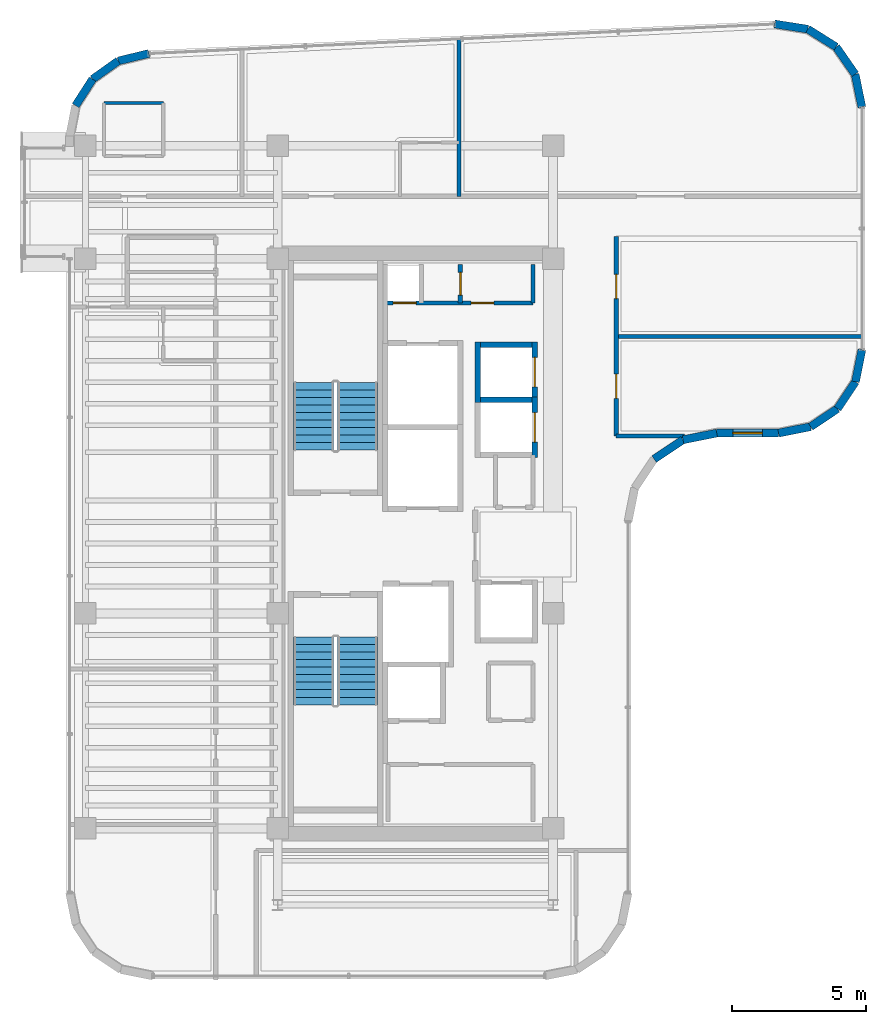
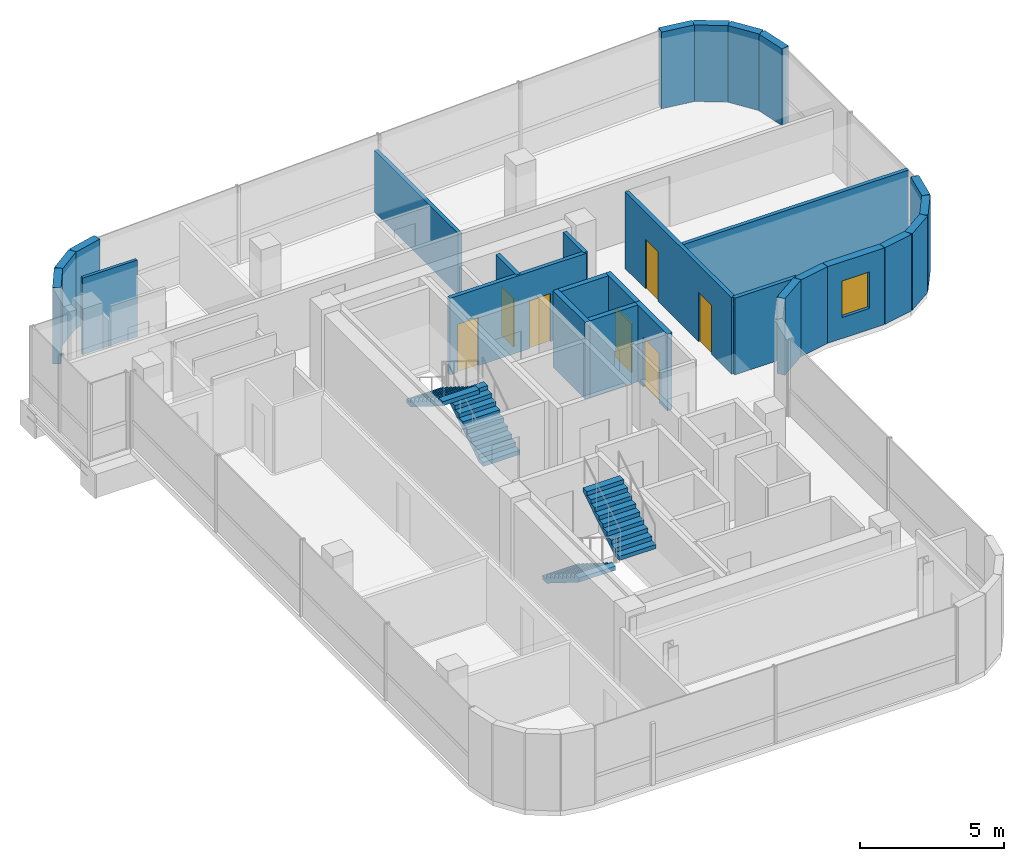
# One storey, part 18 of 20: 27 walls, 7 doors, 4 stair flights, 1 window, 8 openings, 2 elements without a shape of their own.
"""IFC4 building model written with IfcOpenShell, lengths in metres."""

from ifc_helpers import new_model, si_unit, direction, frame, frame_2d, origin, place, context, subcontext, project, spatial, polyline, rectangle, outline, extrude, material, layer, layer_set, type_object, element, fill, aggregate, save


model = new_model("IFC4")

# Units and contexts
model_context = context("Model", 3, precision=1e-05, world=origin(), true_north=direction((0.0, 1.0)))
body_context = subcontext(model_context, "Body", "Model", "MODEL_VIEW")
ifc_project = project(units=[si_unit("LENGTHUNIT", "METRE"), si_unit("AREAUNIT", "SQUARE_METRE"), si_unit("VOLUMEUNIT", "CUBIC_METRE"), si_unit("PLANEANGLEUNIT", "RADIAN"), si_unit("MASSUNIT", "GRAM", prefix="KILO")], contexts=[model_context])

# Site, building, storey
site_placement = place(None, origin())
site = spatial("IfcSite", under=ifc_project, at=site_placement, CompositionType="ELEMENT")
building_placement = place(site_placement, origin())
building = spatial("IfcBuilding", under=site, at=building_placement, Name="Valdorenza Pilgrim Sanctuary Tower", CompositionType="ELEMENT")
storey_placement = place(building_placement, frame((0.0, 0.0, 283.5)))
storey = spatial("IfcBuildingStorey", under=building, at=storey_placement, Name="L74", CompositionType="ELEMENT", Elevation=283.5)

# Wall, openings, doors
ifc_material_1 = material(Name="Acoustic twin-stud gypsum partition", Category="gypsum")
ifc_layer_1 = layer(ifc_material_1, 0.159912109375, Name="Acoustic twin-stud gypsum partition")
ifc_layer_set_1 = layer_set([ifc_layer_1], Name="Acoustic twin-stud gypsum partition")
wall_type_1 = type_object("IfcWallType", Name="WAL-COR-160", PredefinedType="PARTITIONING", material=ifc_layer_set_1)
wall_1_placement = place(storey_placement, frame((-18.64990234375, 8.949951171875, 0.0), z_axis=(0.0, 0.0, 1.0), x_axis=(1.0, 0.0, 0.0)))
wall_1 = element("IfcWall", 1, at=wall_1_placement, inside=storey, type_object=wall_type_1, Name="L74 Core A North Service South Wall", PredefinedType="PARTITIONING", context=body_context, shape_type="SweptSolid", body=[
    extrude(rectangle(XDim=5.5, YDim=0.159912109375, at=frame_2d((2.75, 0.0))), origin(), (0.0, 0.0, 1.0), 3.260009765625),
])
opening_1_placement = place(wall_1_placement, frame((0.300048828125, 0.0, 0.0)))
opening_1 = element("IfcOpeningElement", 2, at=opening_1_placement, cuts=wall_1, Name="Opening DR-RS1", PredefinedType="OPENING", context=body_context, shape_type="SweptSolid", body=[
    extrude(rectangle(XDim=0.85009765625, YDim=2.050048828125, at=frame_2d((0.425048828125, 1.02490234375))), frame((0.0, 0.0947265625, 0.0), z_axis=(0.0, -1.0, 0.0), x_axis=(1.0, 0.0, 0.0)), (0.0, 0.0, 1.0), 0.189697265625),
])
opening_2_placement = place(wall_1_placement, frame((3.199951171875, 0.0, 0.0)))
opening_2 = element("IfcOpeningElement", 3, at=opening_2_placement, cuts=wall_1, Name="Opening DR-RS1", PredefinedType="OPENING", context=body_context, shape_type="SweptSolid", body=[
    extrude(rectangle(XDim=0.85009765625, YDim=2.050048828125, at=frame_2d((0.425048828125, 1.02490234375))), frame((0.0, 0.0947265625, 0.0), z_axis=(0.0, -1.0, 0.0), x_axis=(1.0, 0.0, 0.0)), (0.0, 0.0, 1.0), 0.189697265625),
])
ifc_material_2 = material(Name="Painted galvanized steel", Category="steel")
door_type_1 = type_object("IfcDoorType", Name="DR-RSR-850", OperationType="NOTDEFINED", PredefinedType="DOOR", material=ifc_material_2)
door_1_placement = place(opening_1_placement, origin())
door_1 = element("IfcDoor", 4, at=door_1_placement, inside=storey, type_object=door_type_1, Name="L74 Core Electrical and Telecom Riser Door", OperationType="SINGLE_SWING_LEFT", OverallHeight=2.050048828125, OverallWidth=0.85009765625, PredefinedType="DOOR", context=body_context, shape_type="SweptSolid", body=[
    extrude(rectangle(XDim=0.85009765625, YDim=2.050048828125, at=frame_2d((0.425048828125, 1.02490234375))), frame((0.0, 0.02490234375, 0.0), z_axis=(0.0, -1.0, 0.0), x_axis=(1.0, 0.0, 0.0)), (0.0, 0.0, 1.0), 0.050048828125),
])
fill(opening_1, door_1)
door_2_placement = place(opening_2_placement, origin())
door_2 = element("IfcDoor", 5, at=door_2_placement, inside=storey, type_object=door_type_1, Name="L74 Housekeeping and Clean Linen Room Door", OperationType="SINGLE_SWING_RIGHT", OverallHeight=2.050048828125, OverallWidth=0.85009765625, PredefinedType="DOOR", context=body_context, shape_type="SweptSolid", body=[
    extrude(rectangle(XDim=0.85009765625, YDim=2.050048828125, at=frame_2d((0.425048828125, 1.02490234375))), frame((0.0, 0.02490234375, 0.0), z_axis=(0.0, -1.0, 0.0), x_axis=(1.0, 0.0, 0.0)), (0.0, 0.0, 1.0), 0.050048828125),
])
fill(opening_2, door_2)

# Wall
wall_2_placement = place(storey_placement, frame((-13.14990234375, 8.949951171875, 0.0), z_axis=(0.0, 0.0, 1.0), x_axis=(0.0, 1.0, 0.0)))
element("IfcWall", 6, at=wall_2_placement, inside=storey, type_object=wall_type_1, Name="L74 Core A North Service East Wall", PredefinedType="PARTITIONING", context=body_context, shape_type="SweptSolid", body=[
    extrude(rectangle(XDim=1.429931640625, YDim=0.159912109375, at=frame_2d((0.71484375, 0.0))), origin(), (0.0, 0.0, 1.0), 3.260009765625),
])

# Wall, opening, door
wall_3_placement = place(storey_placement, frame((-15.85009765625, 8.949951171875, 0.0), z_axis=(0.0, 0.0, 1.0), x_axis=(0.0, 1.0, 0.0)))
wall_3 = element("IfcWall", 7, at=wall_3_placement, inside=storey, type_object=wall_type_1, Name="L74 Core A Split C", PredefinedType="PARTITIONING", context=body_context, shape_type="SweptSolid", body=[
    extrude(rectangle(XDim=1.429931640625, YDim=0.159912109375, at=frame_2d((0.71484375, 0.0))), origin(), (0.0, 0.0, 1.0), 3.260009765625),
])
opening_3_placement = place(wall_3_placement, frame((0.2900390625, 0.0, 0.0)))
opening_3 = element("IfcOpeningElement", 8, at=opening_3_placement, cuts=wall_3, Name="Opening DR-RS1", PredefinedType="OPENING", context=body_context, shape_type="SweptSolid", body=[
    extrude(rectangle(XDim=0.85009765625, YDim=2.050048828125, at=frame_2d((0.425048828125, 1.02490234375))), frame((0.0, 0.0947265625, 0.0), z_axis=(0.0, -1.0, 0.0), x_axis=(1.0, 0.0, 0.0)), (0.0, 0.0, 1.0), 0.189697265625),
])
door_3_placement = place(opening_3_placement, origin())
door_3 = element("IfcDoor", 9, at=door_3_placement, inside=storey, type_object=door_type_1, Name="L74 Clean Linen Supply Store Door", OperationType="SINGLE_SWING_LEFT", OverallHeight=2.050048828125, OverallWidth=0.85009765625, PredefinedType="DOOR", context=body_context, shape_type="SweptSolid", body=[
    extrude(rectangle(XDim=0.85009765625, YDim=2.050048828125, at=frame_2d((0.425048828125, 1.02490234375))), frame((0.0, 0.02490234375, 0.0), z_axis=(0.0, -1.0, 0.0), x_axis=(1.0, 0.0, 0.0)), (0.0, 0.0, 1.0), 0.050048828125),
])
fill(opening_3, door_3)

# Wall, openings, doors
wall_4_placement = place(storey_placement, frame((-10.050048828125, 4.0, 0.0), z_axis=(0.0, 0.0, 1.0), x_axis=(0.0, 1.0, 0.0)))
wall_4 = element("IfcWall", 10, at=wall_4_placement, inside=storey, type_object=wall_type_1, Name="L74 East Stub Corridor Wall", PredefinedType="PARTITIONING", context=body_context, shape_type="SweptSolid", body=[
    extrude(rectangle(XDim=7.419921875, YDim=0.159912109375, at=frame_2d((3.7099609375, 0.0))), origin(), (0.0, 0.0, 1.0), 3.260009765625),
])
opening_4_placement = place(wall_4_placement, frame((1.405029296875, 0.0, 0.0)))
opening_4 = element("IfcOpeningElement", 11, at=opening_4_placement, cuts=wall_4, Name="Opening DR-RM1", PredefinedType="OPENING", context=body_context, shape_type="SweptSolid", body=[
    extrude(rectangle(XDim=0.89990234375, YDim=2.10009765625, at=frame_2d((0.449951171875, 1.050048828125))), frame((0.0, 0.0947265625, 0.0), z_axis=(0.0, -1.0, 0.0), x_axis=(1.0, 0.0, 0.0)), (0.0, 0.0, 1.0), 0.189697265625),
])
opening_5_placement = place(wall_4_placement, frame((5.114990234375, 0.0, 0.0)))
opening_5 = element("IfcOpeningElement", 12, at=opening_5_placement, cuts=wall_4, Name="Opening DR-RM1", PredefinedType="OPENING", context=body_context, shape_type="SweptSolid", body=[
    extrude(rectangle(XDim=0.89990234375, YDim=2.10009765625, at=frame_2d((0.449951171875, 1.050048828125))), frame((0.0, 0.0947265625, 0.0), z_axis=(0.0, -1.0, 0.0), x_axis=(1.0, 0.0, 0.0)), (0.0, 0.0, 1.0), 0.189697265625),
])
ifc_material_3 = material(Name="Solid-core European oak timber", Category="wood")
door_type_2 = type_object("IfcDoorType", Name="DR-ROOM-900", OperationType="NOTDEFINED", PredefinedType="DOOR", material=ifc_material_3)
door_4_placement = place(opening_4_placement, origin())
door_4 = element("IfcDoor", 13, at=door_4_placement, inside=storey, type_object=door_type_2, Name="L74 Sacred Art Exhibition Gallery L74-E1 Door", OperationType="SINGLE_SWING_RIGHT", OverallHeight=2.10009765625, OverallWidth=0.89990234375, PredefinedType="DOOR", context=body_context, shape_type="SweptSolid", body=[
    extrude(rectangle(XDim=0.89990234375, YDim=2.10009765625, at=frame_2d((0.449951171875, 1.050048828125))), frame((0.0, 0.02490234375, 0.0), z_axis=(0.0, -1.0, 0.0), x_axis=(1.0, 0.0, 0.0)), (0.0, 0.0, 1.0), 0.050048828125),
])
fill(opening_4, door_4)
door_5_placement = place(opening_5_placement, frame((0.89990234375, 0.0, 0.0), z_axis=(0.0, 0.0, 1.0), x_axis=(-1.0, 0.0, 0.0)))
door_5 = element("IfcDoor", 14, at=door_5_placement, inside=storey, type_object=door_type_2, Name="L74 Sacred Art Exhibition Gallery L74-E2 Door", OperationType="SINGLE_SWING_LEFT", OverallHeight=2.10009765625, OverallWidth=0.89990234375, PredefinedType="DOOR", context=body_context, shape_type="SweptSolid", body=[
    extrude(rectangle(XDim=0.89990234375, YDim=2.10009765625, at=frame_2d((0.449951171875, 1.050048828125))), frame((0.0, 0.02490234375, 0.0), z_axis=(0.0, -1.0, 0.0), x_axis=(1.0, 0.0, 0.0)), (0.0, 0.0, 1.0), 0.050048828125),
])
fill(opening_5, door_5)

# Walls
wall_5_placement = place(storey_placement, frame((-10.050048828125, 4.0, 0.0), z_axis=(0.0, 0.0, 1.0), x_axis=(1.0, 0.0, 0.0)))
element("IfcWall", 15, at=wall_5_placement, inside=storey, type_object=wall_type_1, Name="L74 East Stub South Wall", PredefinedType="PARTITIONING", context=body_context, shape_type="SweptSolid", body=[
    extrude(rectangle(XDim=2.545654296875, YDim=0.159912109375, at=frame_2d((1.27294921875, 0.0))), origin(), (0.0, 0.0, 1.0), 3.260009765625),
])
ifc_material_4 = material(Name="Honed travertine limestone", Category="masonry")
ifc_layer_2 = layer(ifc_material_4, 0.300048828125, Name="Honed travertine limestone")
ifc_layer_set_2 = layer_set([ifc_layer_2], Name="Honed travertine limestone")
wall_type_2 = type_object("IfcWallType", Name="WAL-EXT-300", PredefinedType="SOLIDWALL", material=ifc_layer_set_2)
wall_6_placement = place(storey_placement, frame((-30.16650390625, 16.29541015625, 0.0), z_axis=(0.0, 0.0, 1.0), x_axis=(0.540842020947, 0.841124193195, 0.0)))
element("IfcWall", 16, at=wall_6_placement, inside=storey, type_object=wall_type_2, Name="L74 Rounded Wind-Corner Stone Pier 3", PredefinedType="SOLIDWALL", context=body_context, shape_type="SweptSolid", body=[
    extrude(rectangle(XDim=1.169189453125, YDim=0.300048828125, at=frame_2d((0.58447265625, 0.0))), origin(), (0.0, 0.0, 1.0), 3.260009765625),
])
wall_7_placement = place(storey_placement, frame((-29.5341796875, 17.27880859375, 0.0), z_axis=(0.0, 0.0, 1.0), x_axis=(0.81466371606, 0.579933642527, 0.0)))
element("IfcWall", 17, at=wall_7_placement, inside=storey, type_object=wall_type_2, Name="L74 Rounded Wind-Corner Stone Pier 4", PredefinedType="SOLIDWALL", context=body_context, shape_type="SweptSolid", body=[
    extrude(rectangle(XDim=1.1689453125, YDim=0.300048828125, at=frame_2d((0.58447265625, 0.0))), origin(), (0.0, 0.0, 1.0), 3.260009765625),
])
wall_8_placement = place(storey_placement, frame((-28.581787109375, 17.956787109375, 0.0), z_axis=(0.0, 0.0, 1.0), x_axis=(0.971929016595, 0.235274279725, 0.0)))
element("IfcWall", 18, at=wall_8_placement, inside=storey, type_object=wall_type_2, Name="L74 Rounded Wind-Corner Stone Pier 5", PredefinedType="SOLIDWALL", context=body_context, shape_type="SweptSolid", body=[
    extrude(rectangle(XDim=1.179931640625, YDim=0.300048828125, at=frame_2d((0.58984375, 0.0))), origin(), (0.0, 0.0, 1.0), 3.260009765625),
])
wall_9_placement = place(storey_placement, frame((-4.15673828125, 19.331787109375, 0.0), z_axis=(0.0, 0.0, 1.0), x_axis=(0.987969236552, -0.15465053387, 0.0)))
element("IfcWall", 19, at=wall_9_placement, inside=storey, type_object=wall_type_2, Name="L74 Rounded Wind-Corner Stone Pier 7", PredefinedType="SOLIDWALL", context=body_context, shape_type="SweptSolid", body=[
    extrude(rectangle(XDim=1.251953125, YDim=0.300048828125, at=frame_2d((0.6259765625, 0.0))), origin(), (0.0, 0.0, 1.0), 3.260009765625),
])
for number, where, z_axis, x_axis, name in (
    (20, (-2.919921875, 19.13818359375, 0.0), (0.0, 0.0, 1.0), (0.847489288141, -0.530812496543, 0.0), "L74 Rounded Wind-Corner Stone Pier 8"),
    (21, (-1.86865234375, 18.479736328125, 0.0), (0.0, 0.0, 1.0), (0.570181861951, -0.821518499063, 0.0), "L74 Rounded Wind-Corner Stone Pier 9"),
):
    element("IfcWall", number, at=place(storey_placement, frame(where, z_axis=z_axis, x_axis=x_axis)), inside=storey, type_object=wall_type_2, Name=name, PredefinedType="SOLIDWALL", context=body_context, shape_type="SweptSolid", body=[
        extrude(rectangle(XDim=1.240478515625, YDim=0.300048828125, at=frame_2d((0.6201171875, 0.0))), origin(), (0.0, 0.0, 1.0), 3.260009765625),
    ])
wall_10_placement = place(storey_placement, frame((-1.161376953125, 17.460693359375, 0.0), z_axis=(0.0, 0.0, 1.0), x_axis=(0.20087696073, -0.979616479367, 0.0)))
element("IfcWall", 22, at=wall_10_placement, inside=storey, type_object=wall_type_2, Name="L74 Rounded Wind-Corner Stone Pier 10", PredefinedType="SOLIDWALL", context=body_context, shape_type="SweptSolid", body=[
    extrude(rectangle(XDim=1.251953125, YDim=0.300048828125, at=frame_2d((0.6259765625, 0.0))), origin(), (0.0, 0.0, 1.0), 3.260009765625),
])
wall_11_placement = place(storey_placement, frame((-0.909912109375, 7.210693359375, 0.0), z_axis=(0.0, 0.0, 1.0), x_axis=(-0.195189223115, -0.980765602568, 0.0)))
element("IfcWall", 23, at=wall_11_placement, inside=storey, type_object=wall_type_2, Name="L74 Rounded Wind-Corner Stone Pier 12", PredefinedType="SOLIDWALL", context=body_context, shape_type="SweptSolid", body=[
    extrude(rectangle(XDim=1.2158203125, YDim=0.300048828125, at=frame_2d((0.60791015625, 0.0))), origin(), (0.0, 0.0, 1.0), 3.260009765625),
])
for number, where, z_axis, x_axis, name in (
    (24, (-1.147216796875, 6.018310546875, 0.0), (0.0, 0.0, 1.0), (-0.555635100982, -0.831426265255, 0.0), "L74 Rounded Wind-Corner Stone Pier 13"),
    (25, (-1.816650390625, 5.0166015625, 0.0), (0.0, 0.0, 1.0), (-0.831426265255, -0.555635100982, 0.0), "L74 Rounded Wind-Corner Stone Pier 14"),
):
    element("IfcWall", number, at=place(storey_placement, frame(where, z_axis=z_axis, x_axis=x_axis)), inside=storey, type_object=wall_type_2, Name=name, PredefinedType="SOLIDWALL", context=body_context, shape_type="SweptSolid", body=[
        extrude(rectangle(XDim=1.204833984375, YDim=0.300048828125, at=frame_2d((0.6025390625, 0.0))), origin(), (0.0, 0.0, 1.0), 3.260009765625),
    ])
wall_12_placement = place(storey_placement, frame((-2.818359375, 4.34716796875, 0.0), z_axis=(0.0, 0.0, 1.0), x_axis=(-0.980804027463, -0.194996050505, 0.0)))
element("IfcWall", 26, at=wall_12_placement, inside=storey, type_object=wall_type_2, Name="L74 Rounded Wind-Corner Stone Pier 15", PredefinedType="SOLIDWALL", context=body_context, shape_type="SweptSolid", body=[
    extrude(rectangle(XDim=1.2158203125, YDim=0.300048828125, at=frame_2d((0.60791015625, 0.0))), origin(), (0.0, 0.0, 1.0), 3.260009765625),
])

# Wall, opening, window
wall_13_placement = place(storey_placement, frame((-4.0107421875, 4.110107421875, 0.0), z_axis=(0.0, 0.0, 1.0), x_axis=(-1.0, 0.0, 0.0)))
wall_13 = element("IfcWall", 27, at=wall_13_placement, inside=storey, type_object=wall_type_2, Name="L74 Rounded Wind-Corner Stone Pier 16", PredefinedType="SOLIDWALL", context=body_context, shape_type="SweptSolid", body=[
    extrude(rectangle(XDim=2.300048828125, YDim=0.300048828125, at=frame_2d((1.14990234375, 0.0))), origin(), (0.0, 0.0, 1.0), 3.260009765625),
])
opening_6_placement = place(wall_13_placement, frame((0.60009765625, 0.0, 0.89990234375)))
opening_6 = element("IfcOpeningElement", 28, at=opening_6_placement, cuts=wall_13, Name="Opening WN-CR1", PredefinedType="OPENING", context=body_context, shape_type="SweptSolid", body=[
    extrude(rectangle(XDim=1.10009765625, YDim=1.550048828125, at=frame_2d((0.550048828125, 0.77490234375))), frame((0.0, 0.1650390625, 0.0), z_axis=(0.0, -1.0, 0.0), x_axis=(1.0, 0.0, 0.0)), (0.0, 0.0, 1.0), 0.329833984375),
])
ifc_material_5 = material(Name="Ceramic-fritted low-E IGU glazing", Category="glass")
window_type = type_object("IfcWindowType", Name="WIN-CRN-1200", PartitioningType="SINGLE_PANEL", PredefinedType="WINDOW", material=ifc_material_5)
window_placement = place(opening_6_placement, origin())
window = element("IfcWindow", 29, at=window_placement, inside=storey, type_object=window_type, Name="L74 Rounded Corner Slot Window 16", OverallHeight=1.550048828125, OverallWidth=1.10009765625, PartitioningType="SINGLE_PANEL", PredefinedType="WINDOW", context=body_context, shape_type="SweptSolid", body=[
    extrude(rectangle(XDim=1.10009765625, YDim=1.550048828125, at=frame_2d((0.550048828125, 0.77490234375))), frame((0.0, 0.030029296875, 0.0), z_axis=(0.0, -1.0, 0.0), x_axis=(1.0, 0.0, 0.0)), (0.0, 0.0, 1.0), 0.06005859375),
])
fill(opening_6, window)

# Walls
wall_14_placement = place(storey_placement, frame((-6.310791015625, 4.110107421875, 0.0), z_axis=(0.0, 0.0, 1.0), x_axis=(-0.980778058848, -0.195126623715, 0.0)))
element("IfcWall", 30, at=wall_14_placement, inside=storey, type_object=wall_type_2, Name="L74 Rounded Wind-Corner Stone Pier 17", PredefinedType="SOLIDWALL", context=body_context, shape_type="SweptSolid", body=[
    extrude(rectangle(XDim=1.28125, YDim=0.300048828125, at=frame_2d((0.640625, 0.0))), origin(), (0.0, 0.0, 1.0), 3.260009765625),
])
wall_15_placement = place(storey_placement, frame((-7.5673828125, 3.860107421875, 0.0), z_axis=(0.0, 0.0, 1.0), x_axis=(-0.831497739511, -0.555528135371, 0.0)))
element("IfcWall", 31, at=wall_15_placement, inside=storey, type_object=wall_type_2, Name="L74 Rounded Wind-Corner Stone Pier 18", PredefinedType="SOLIDWALL", context=body_context, shape_type="SweptSolid", body=[
    extrude(rectangle(XDim=1.29248046875, YDim=0.300048828125, at=frame_2d((0.646240234375, 0.0))), origin(), (0.0, 0.0, 1.0), 3.260009765625),
])
ifc_material_6 = material(Name="Moisture-resistant gypsum partition", Category="gypsum")
ifc_layer_3 = layer(ifc_material_6, 0.1201171875, Name="Moisture-resistant gypsum partition")
ifc_layer_set_3 = layer_set([ifc_layer_3], Name="Moisture-resistant gypsum partition")
wall_type_3 = type_object("IfcWallType", Name="WAL-INT-120", PredefinedType="PARTITIONING", material=ifc_layer_set_3)
wall_16_placement = place(storey_placement, frame((-29.10498046875, 16.39208984375, 0.0), z_axis=(0.0, 0.0, 1.0), x_axis=(1.0, 0.0, 0.0)))
element("IfcWall", 32, at=wall_16_placement, inside=storey, type_object=wall_type_3, Name="L74 North Grand Guest Room L74-N1A En-suite Back Wall", PredefinedType="PARTITIONING", context=body_context, shape_type="SweptSolid", body=[
    extrude(rectangle(XDim=2.199951171875, YDim=0.1201171875, at=frame_2d((1.10009765625, 0.0))), origin(), (0.0, 0.0, 1.0), 3.260009765625),
])

# Wall, opening, door
ifc_material_7 = material(Name="Autoclaved aerated concrete blockwork", Category="masonry")
ifc_layer_4 = layer(ifc_material_7, 0.199951171875, Name="Autoclaved aerated concrete blockwork")
ifc_layer_set_4 = layer_set([ifc_layer_4], Name="Autoclaved aerated concrete blockwork")
wall_type_4 = type_object("IfcWallType", Name="WAL-SHF-200", PredefinedType="MOVABLE", material=ifc_layer_set_4)
wall_17_placement = place(storey_placement, frame((-13.080078125, 3.199951171875, 0.0), z_axis=(0.0, 0.0, 1.0), x_axis=(0.0, 1.0, 0.0)))
wall_17 = element("IfcWall", 33, at=wall_17_placement, inside=storey, type_object=wall_type_4, Name="L74 Lift PL-09 Hoistway Wall East", PredefinedType="MOVABLE", context=body_context, shape_type="SweptSolid", body=[
    extrude(rectangle(XDim=2.25, YDim=0.199951171875, at=frame_2d((1.125, 0.0))), origin(), (0.0, 0.0, 1.0), 3.260009765625),
])
opening_7_placement = place(wall_17_placement, frame((0.574951171875, 0.0, 0.0)))
opening_7 = element("IfcOpeningElement", 34, at=opening_7_placement, cuts=wall_17, Name="Opening LD-01", PredefinedType="OPENING", context=body_context, shape_type="SweptSolid", body=[
    extrude(rectangle(XDim=1.10009765625, YDim=2.10009765625, at=frame_2d((0.550048828125, 1.050048828125))), frame((0.0, 0.11474609375, 0.0), z_axis=(0.0, -1.0, 0.0), x_axis=(1.0, 0.0, 0.0)), (0.0, 0.0, 1.0), 0.229736328125),
])
ifc_material_8 = material(Name="Brushed stainless steel Grade 316", Category="steel")
door_type_3 = type_object("IfcDoorType", Name="DR-LFT-1100", OperationType="DOUBLE_DOOR_SLIDING", PredefinedType="DOOR", material=ifc_material_8)
door_6_placement = place(opening_7_placement, origin())
door_6 = element("IfcDoor", 35, at=door_6_placement, inside=storey, type_object=door_type_3, Name="L74 Lift PL-09 Sliding Landing Door", OperationType="DOUBLE_DOOR_SLIDING", OverallHeight=2.10009765625, OverallWidth=1.10009765625, PredefinedType="DOOR", context=body_context, shape_type="SweptSolid", body=[
    extrude(rectangle(XDim=1.10009765625, YDim=2.10009765625, at=frame_2d((0.550048828125, 1.050048828125))), frame((0.0, 0.02490234375, 0.0), z_axis=(0.0, -1.0, 0.0), x_axis=(1.0, 0.0, 0.0)), (0.0, 0.0, 1.0), 0.050048828125),
])
fill(opening_7, door_6)

# Walls
wall_18_placement = place(storey_placement, frame((-15.10009765625, 5.35009765625, 0.0), z_axis=(0.0, 0.0, 1.0), x_axis=(1.0, 0.0, 0.0)))
element("IfcWall", 36, at=wall_18_placement, inside=storey, type_object=wall_type_4, Name="L74 Lift PL-09 Hoistway Wall North", PredefinedType="MOVABLE", context=body_context, shape_type="SweptSolid", body=[
    extrude(rectangle(XDim=1.920166015625, YDim=0.199951171875, at=frame_2d((0.9599609375, 0.0))), origin(), (0.0, 0.0, 1.0), 3.260009765625),
])
wall_19_placement = place(storey_placement, frame((-15.199951171875, 5.25, 0.0), z_axis=(0.0, 0.0, 1.0), x_axis=(0.0, 1.0, 0.0)))
element("IfcWall", 37, at=wall_19_placement, inside=storey, type_object=wall_type_4, Name="L74 Lift PL-10 Hoistway Wall West", PredefinedType="MOVABLE", context=body_context, shape_type="SweptSolid", body=[
    extrude(rectangle(XDim=2.25, YDim=0.199951171875, at=frame_2d((1.125, 0.0))), origin(), (0.0, 0.0, 1.0), 3.260009765625),
])

# Wall, opening, door
wall_20_placement = place(storey_placement, frame((-13.080078125, 5.25, 0.0), z_axis=(0.0, 0.0, 1.0), x_axis=(0.0, 1.0, 0.0)))
wall_20 = element("IfcWall", 38, at=wall_20_placement, inside=storey, type_object=wall_type_4, Name="L74 Lift PL-10 Hoistway Wall East", PredefinedType="MOVABLE", context=body_context, shape_type="SweptSolid", body=[
    extrude(rectangle(XDim=2.25, YDim=0.199951171875, at=frame_2d((1.125, 0.0))), origin(), (0.0, 0.0, 1.0), 3.260009765625),
])
opening_8_placement = place(wall_20_placement, frame((0.574951171875, 0.0, 0.0)))
opening_8 = element("IfcOpeningElement", 39, at=opening_8_placement, cuts=wall_20, Name="Opening LD-01", PredefinedType="OPENING", context=body_context, shape_type="SweptSolid", body=[
    extrude(rectangle(XDim=1.10009765625, YDim=2.10009765625, at=frame_2d((0.550048828125, 1.050048828125))), frame((0.0, 0.11474609375, 0.0), z_axis=(0.0, -1.0, 0.0), x_axis=(1.0, 0.0, 0.0)), (0.0, 0.0, 1.0), 0.229736328125),
])
door_7_placement = place(opening_8_placement, origin())
door_7 = element("IfcDoor", 40, at=door_7_placement, inside=storey, type_object=door_type_3, Name="L74 Lift PL-10 Sliding Landing Door", OperationType="DOUBLE_DOOR_SLIDING", OverallHeight=2.10009765625, OverallWidth=1.10009765625, PredefinedType="DOOR", context=body_context, shape_type="SweptSolid", body=[
    extrude(rectangle(XDim=1.10009765625, YDim=2.10009765625, at=frame_2d((0.550048828125, 1.050048828125))), frame((0.0, 0.02490234375, 0.0), z_axis=(0.0, -1.0, 0.0), x_axis=(1.0, 0.0, 0.0)), (0.0, 0.0, 1.0), 0.050048828125),
])
fill(opening_8, door_7)

# Walls
wall_21_placement = place(storey_placement, frame((-15.10009765625, 7.39990234375, 0.0), z_axis=(0.0, 0.0, 1.0), x_axis=(1.0, 0.0, 0.0)))
element("IfcWall", 41, at=wall_21_placement, inside=storey, type_object=wall_type_4, Name="L74 Lift PL-10 Hoistway Wall North", PredefinedType="MOVABLE", context=body_context, shape_type="SweptSolid", body=[
    extrude(rectangle(XDim=1.920166015625, YDim=0.199951171875, at=frame_2d((0.9599609375, 0.0))), origin(), (0.0, 0.0, 1.0), 3.260009765625),
])
ifc_layer_5 = layer(ifc_material_1, 0.14990234375, Name="Acoustic twin-stud gypsum partition")
ifc_layer_set_5 = layer_set([ifc_layer_5], Name="Acoustic twin-stud gypsum partition")
wall_type_5 = type_object("IfcWallType", Name="WAL-UNT-150", PredefinedType="PARTITIONING", material=ifc_layer_set_5)
wall_22_placement = place(storey_placement, frame((-15.89990234375, 12.919921875, 0.0), z_axis=(0.0, 0.0, 1.0), x_axis=(0.0, 1.0, 0.0)))
element("IfcWall", 42, at=wall_22_placement, inside=storey, type_object=wall_type_5, Name="L74 North Residence Split", PredefinedType="PARTITIONING", context=body_context, shape_type="SweptSolid", body=[
    extrude(rectangle(XDim=5.858154296875, YDim=0.14990234375, at=frame_2d((2.92919921875, 0.0))), origin(), (0.0, 0.0, 1.0), 2.623046875),
])
wall_23_placement = place(storey_placement, frame((-10.050048828125, 7.7099609375, 0.0), z_axis=(0.0, 0.0, 1.0), x_axis=(1.0, 0.0, 0.0)))
element("IfcWall", 43, at=wall_23_placement, inside=storey, type_object=wall_type_5, Name="L74 Sacred Art Exhibition Gallery L74-E2 Demising Wall", PredefinedType="PARTITIONING", context=body_context, shape_type="SweptSolid", body=[
    extrude(rectangle(XDim=9.14013671875, YDim=0.14990234375, at=frame_2d((4.570068359375, 0.0))), origin(), (0.0, 0.0, 1.0), 3.260009765625),
])

# Stair, stair flights
ifc_material_9 = material(Name="Concrete C40/50", Category="concrete")
stair_type = type_object("IfcStairType", Name="STR-DOG-CORE", PredefinedType="HALF_TURN_STAIR", material=ifc_material_9)
stair_1_placement = place(storey_placement, origin())
stair_1 = element("IfcStair", 44, at=stair_1_placement, inside=storey, type_object=stair_type, Name="L74 ST-A1", PredefinedType="HALF_TURN_STAIR")
stair_flight_type = type_object("IfcStairFlightType", Name="STF-RC-1400", PredefinedType="STRAIGHT", material=ifc_material_9)
stair_flight_1_placement = place(storey_placement, frame((-19.679931640625, 3.47998046875, 0.0), z_axis=(0.0, 0.0, 1.0), x_axis=(0.0, 1.0, 0.0)))
stair_flight_1 = element("IfcStairFlight", 45, at=stair_flight_1_placement, type_object=stair_flight_type, Name="ST-A1 flight 1", NumberOfRisers=10, NumberOfTreads=9, PredefinedType="STRAIGHT", RiserHeight=0.175, TreadLength=0.28, context=body_context, shape_type="SweptSolid", body=[
    extrude(outline(polyline([(0.0, 0.0), (0.0, 0.175048828125), (0.280029296875, 0.175048828125), (0.280029296875, 0.35009765625), (0.56005859375, 0.35009765625), (0.56005859375, 0.52490234375), (0.840087890625, 0.52490234375), (0.840087890625, 0.699951171875), (1.1201171875, 0.699951171875), (1.1201171875, 0.875), (1.39990234375, 0.875), (1.39990234375, 1.050048828125), (1.679931640625, 1.050048828125), (1.679931640625, 1.22509765625), (1.9599609375, 1.22509765625), (1.9599609375, 1.39990234375), (2.239990234375, 1.39990234375), (2.239990234375, 1.574951171875), (2.52001953125, 1.574951171875), (2.52001953125, 1.75), (2.52001953125, 1.398193359375), (0.28271484375, 0.0), (0.0, 0.0)])), frame((0.0, 0.739990234375, 0.0), z_axis=(0.0, -1.0, 0.0), x_axis=(1.0, 0.0, 0.0)), (0.0, 0.0, 1.0), 1.47998046875),
])
stair_flight_2_placement = place(storey_placement, frame((-21.31005859375, 6.0, 1.75), z_axis=(0.0, 0.0, 1.0), x_axis=(0.0, -1.0, 0.0)))
stair_flight_2 = element("IfcStairFlight", 46, at=stair_flight_2_placement, type_object=stair_flight_type, Name="ST-A1 flight 2", NumberOfRisers=10, NumberOfTreads=9, PredefinedType="STRAIGHT", RiserHeight=0.175, TreadLength=0.28, context=body_context, shape_type="SweptSolid", body=[
    extrude(outline(polyline([(0.0, 0.0), (0.0, 0.175048828125), (0.280029296875, 0.175048828125), (0.280029296875, 0.35009765625), (0.56005859375, 0.35009765625), (0.56005859375, 0.52490234375), (0.840087890625, 0.52490234375), (0.840087890625, 0.699951171875), (1.1201171875, 0.699951171875), (1.1201171875, 0.875), (1.39990234375, 0.875), (1.39990234375, 1.050048828125), (1.679931640625, 1.050048828125), (1.679931640625, 1.22509765625), (1.9599609375, 1.22509765625), (1.9599609375, 1.39990234375), (2.239990234375, 1.39990234375), (2.239990234375, 1.574951171875), (2.52001953125, 1.574951171875), (2.52001953125, 1.75), (2.52001953125, 1.398193359375), (0.28271484375, 0.0), (0.0, 0.0)])), frame((0.0, 0.739990234375, 0.0), z_axis=(0.0, -1.0, 0.0), x_axis=(1.0, 0.0, 0.0)), (0.0, 0.0, 1.0), 1.47998046875),
])
aggregate(stair_1, [stair_flight_1, stair_flight_2])

stair_2_placement = place(storey_placement, origin())
stair_2 = element("IfcStair", 47, at=stair_2_placement, inside=storey, type_object=stair_type, Name="L74 ST-A2", PredefinedType="HALF_TURN_STAIR")
stair_flight_3_placement = place(storey_placement, frame((-21.31005859375, -3.47998046875, 0.0), z_axis=(0.0, 0.0, 1.0), x_axis=(0.0, -1.0, 0.0)))
stair_flight_3 = element("IfcStairFlight", 48, at=stair_flight_3_placement, type_object=stair_flight_type, Name="ST-A2 flight 1", NumberOfRisers=10, NumberOfTreads=9, PredefinedType="STRAIGHT", RiserHeight=0.175, TreadLength=0.28, context=body_context, shape_type="SweptSolid", body=[
    extrude(outline(polyline([(0.0, 0.0), (0.0, 0.175048828125), (0.280029296875, 0.175048828125), (0.280029296875, 0.35009765625), (0.56005859375, 0.35009765625), (0.56005859375, 0.52490234375), (0.840087890625, 0.52490234375), (0.840087890625, 0.699951171875), (1.1201171875, 0.699951171875), (1.1201171875, 0.875), (1.39990234375, 0.875), (1.39990234375, 1.050048828125), (1.679931640625, 1.050048828125), (1.679931640625, 1.22509765625), (1.9599609375, 1.22509765625), (1.9599609375, 1.39990234375), (2.239990234375, 1.39990234375), (2.239990234375, 1.574951171875), (2.52001953125, 1.574951171875), (2.52001953125, 1.75), (2.52001953125, 1.398193359375), (0.28271484375, 0.0), (0.0, 0.0)])), frame((0.0, 0.739990234375, 0.0), z_axis=(0.0, -1.0, 0.0), x_axis=(1.0, 0.0, 0.0)), (0.0, 0.0, 1.0), 1.47998046875),
])
stair_flight_4_placement = place(storey_placement, frame((-19.679931640625, -6.0, 1.75), z_axis=(0.0, 0.0, 1.0), x_axis=(0.0, 1.0, 0.0)))
stair_flight_4 = element("IfcStairFlight", 49, at=stair_flight_4_placement, type_object=stair_flight_type, Name="ST-A2 flight 2", NumberOfRisers=10, NumberOfTreads=9, PredefinedType="STRAIGHT", RiserHeight=0.175, TreadLength=0.28, context=body_context, shape_type="SweptSolid", body=[
    extrude(outline(polyline([(0.0, 0.0), (0.0, 0.175048828125), (0.280029296875, 0.175048828125), (0.280029296875, 0.35009765625), (0.56005859375, 0.35009765625), (0.56005859375, 0.52490234375), (0.840087890625, 0.52490234375), (0.840087890625, 0.699951171875), (1.1201171875, 0.699951171875), (1.1201171875, 0.875), (1.39990234375, 0.875), (1.39990234375, 1.050048828125), (1.679931640625, 1.050048828125), (1.679931640625, 1.22509765625), (1.9599609375, 1.22509765625), (1.9599609375, 1.39990234375), (2.239990234375, 1.39990234375), (2.239990234375, 1.574951171875), (2.52001953125, 1.574951171875), (2.52001953125, 1.75), (2.52001953125, 1.398193359375), (0.28271484375, 0.0), (0.0, 0.0)])), frame((0.0, 0.739990234375, 0.0), z_axis=(0.0, -1.0, 0.0), x_axis=(1.0, 0.0, 0.0)), (0.0, 0.0, 1.0), 1.47998046875),
])
aggregate(stair_2, [stair_flight_3, stair_flight_4])

save(model, "model.ifc")
